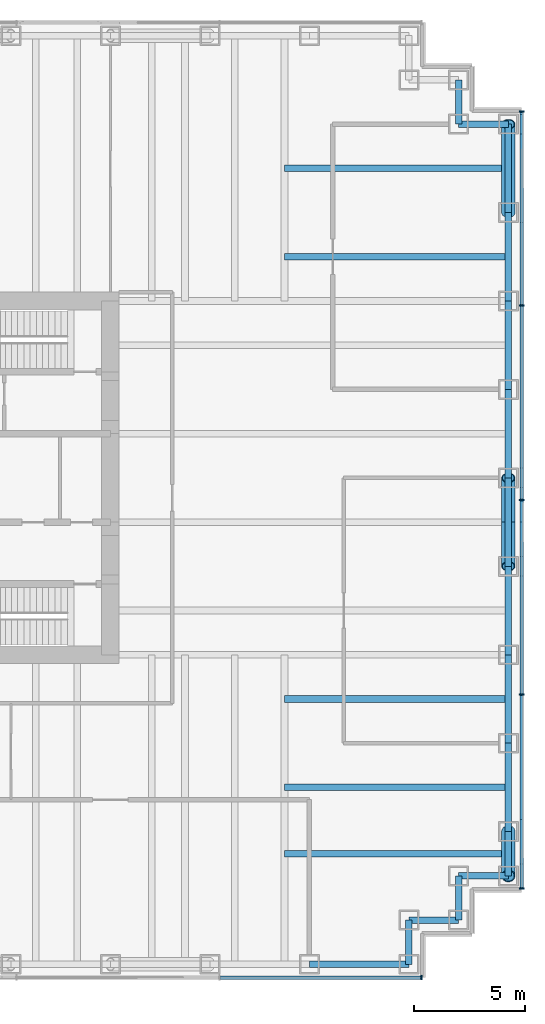
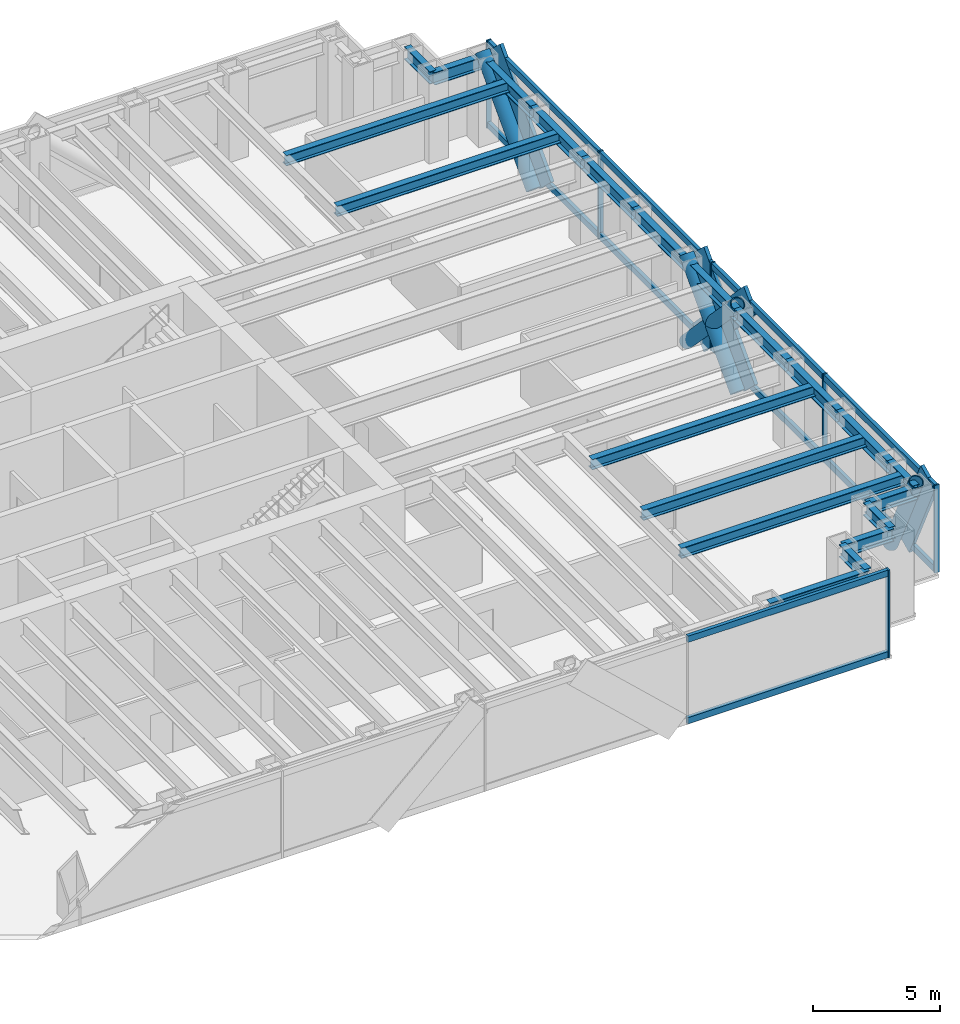
# One storey, part 7 of 14: 24 members, 21 beams, 2 elements without a shape of their own.
"""IFC4 building model written with IfcOpenShell, lengths in metres."""

from ifc_helpers import new_model, si_unit, direction, frame, origin, origin_2d, place, context, subcontext, project, spatial, rectangle, hollow_circle, i_section, extrude, material, material_profile, profile_set, type_object, element, aggregate, save


model = new_model("IFC4")

# Units and contexts
model_context = context("Model", 3, precision=1e-05, world=origin(), true_north=direction((0.0, 1.0)))
body_context = subcontext(model_context, "Body", "Model", "MODEL_VIEW")
ifc_project = project(units=[si_unit("LENGTHUNIT", "METRE"), si_unit("AREAUNIT", "SQUARE_METRE"), si_unit("VOLUMEUNIT", "CUBIC_METRE"), si_unit("PLANEANGLEUNIT", "RADIAN"), si_unit("MASSUNIT", "GRAM", prefix="KILO")], contexts=[model_context])

# Site, building, storey
site_placement = place(None, origin())
site = spatial("IfcSite", under=ifc_project, at=site_placement, CompositionType="ELEMENT")
building_placement = place(site_placement, origin())
building = spatial("IfcBuilding", under=site, at=building_placement, Name="Rheinbord Bourse Tower", CompositionType="ELEMENT")
storey_placement = place(building_placement, frame((0.0, 0.0, 253.0)))
storey = spatial("IfcBuildingStorey", under=building, at=storey_placement, Name="L57", CompositionType="ELEMENT", Elevation=253.0)

# Curtain wall, members
ifc_material_1 = material(Name="Dark glass and black aluminium", Category="aluminium")
curtain_wall_type = type_object("IfcCurtainWallType", Name="CW2 DARK GLASS CURTAIN WALL", PredefinedType="USERDEFINED", material=ifc_material_1)
curtain_wall_1_placement = place(storey_placement, origin())
curtain_wall_1 = element("IfcCurtainWall", 1, at=curtain_wall_1_placement, inside=storey, type_object=curtain_wall_type, Name="Curtain wall CW2 E L57", ObjectType="UNITISED CURTAIN WALL", PredefinedType="USERDEFINED")
ifc_material_2 = material(Name="Black anodised aluminium", Category="aluminium")
ifc_material_profile_1 = material_profile(ifc_material_2, rectangle(XDim=0.159912109375, YDim=1.2099609375, at=origin_2d()), Name="CW2 DIAGONAL MULLION 1210x160")
ifc_profile_set_1 = profile_set([ifc_material_profile_1], Name="Black anodised aluminium")
member_type_1 = type_object("IfcMemberType", Name="CW2 BLACK DIAGONAL MULLION", PredefinedType="USERDEFINED", material=ifc_profile_set_1)
member_1_placement = place(storey_placement, frame((72.60009765625, 20.0, 0.0), z_axis=(0.0, 0.689659376744, 0.724133926887), x_axis=(-1.0, 0.0, 0.0)))
member_1 = element("IfcMember", 2, at=member_1_placement, type_object=member_type_1, Name="CW2 diagonal mullion a", ObjectType="DIAGONAL MULLION", PredefinedType="USERDEFINED", context=body_context, shape_type="SweptSolid", body=[
    extrude(rectangle(XDim=0.159912109375, YDim=1.2099609375, at=origin_2d()), origin(), (0.0, 0.0, 1.0), 5.800048828125),
])
member_2_placement = place(storey_placement, frame((72.60009765625, 24.0, 0.0), z_axis=(0.0, -0.689659376744, 0.724133926887), x_axis=(1.0, 0.0, 0.0)))
member_2 = element("IfcMember", 3, at=member_2_placement, type_object=member_type_1, Name="CW2 diagonal mullion b", ObjectType="DIAGONAL MULLION", PredefinedType="USERDEFINED", context=body_context, shape_type="SweptSolid", body=[
    extrude(rectangle(XDim=0.159912109375, YDim=1.2099609375, at=origin_2d()), origin(), (0.0, 0.0, 1.0), 5.800048828125),
])
member_3_placement = place(storey_placement, frame((72.60009765625, 36.0, 0.0), z_axis=(0.0, 0.689659376744, 0.724133926887), x_axis=(-1.0, 0.0, 0.0)))
member_3 = element("IfcMember", 4, at=member_3_placement, type_object=member_type_1, Name="CW2 diagonal mullion c", ObjectType="DIAGONAL MULLION", PredefinedType="USERDEFINED", context=body_context, shape_type="SweptSolid", body=[
    extrude(rectangle(XDim=0.159912109375, YDim=1.2099609375, at=origin_2d()), origin(), (0.0, 0.0, 1.0), 5.800048828125),
])
member_4_placement = place(storey_placement, frame((72.60009765625, 8.0, 0.0), z_axis=(0.0, -0.429937654825, 0.902858578607), x_axis=(1.0, 0.0, 0.0)))
member_4 = element("IfcMember", 5, at=member_4_placement, type_object=member_type_1, Name="CW2 diagonal mullion d", ObjectType="DIAGONAL MULLION", PredefinedType="USERDEFINED", context=body_context, shape_type="SweptSolid", body=[
    extrude(rectangle(XDim=0.159912109375, YDim=1.2099609375, at=origin_2d()), origin(), (0.0, 0.0, 1.0), 4.65185546875),
])

# Curtain wall, member
curtain_wall_2_placement = place(storey_placement, origin())
curtain_wall_2 = element("IfcCurtainWall", 6, at=curtain_wall_2_placement, inside=storey, type_object=curtain_wall_type, Name="Curtain wall CW2 S L57", ObjectType="UNITISED CURTAIN WALL", PredefinedType="USERDEFINED")
ifc_material_3 = material(Name="Black anodised aluminium", Category="aluminium")
ifc_material_profile_2 = material_profile(ifc_material_3, rectangle(XDim=0.219970703125, YDim=0.070068359375, at=origin_2d()), Name="CW2 MULLION 70x220")
ifc_profile_set_2 = profile_set([ifc_material_profile_2], Name="Black anodised aluminium")
member_type_2 = type_object("IfcMemberType", Name="CW2 BLACK MULLION", PredefinedType="MULLION", material=ifc_profile_set_2)
member_5_placement = place(storey_placement, frame((68.06494140625, 1.39990234375, 0.0), z_axis=(0.0, 0.0, 1.0), x_axis=(0.0, 1.0, 0.0)))
member_5 = element("IfcMember", 7, at=member_5_placement, type_object=member_type_2, Name="CW2 mullion 8", PredefinedType="MULLION", context=body_context, shape_type="SweptSolid", body=[
    extrude(rectangle(XDim=0.219970703125, YDim=0.070068359375, at=origin_2d()), origin(), (0.0, 0.0, 1.0), 4.199951171875),
])

# Member
member_6_placement = place(storey_placement, frame((72.60009765625, 5.43505859375, 0.0), z_axis=(0.0, 0.0, 1.0), x_axis=(-1.0, 0.0, 0.0)))
member_6 = element("IfcMember", 8, at=member_6_placement, type_object=member_type_2, Name="CW2 mullion 1", PredefinedType="MULLION", context=body_context, shape_type="SweptSolid", body=[
    extrude(rectangle(XDim=0.219970703125, YDim=0.070068359375, at=origin_2d()), origin(), (0.0, 0.0, 1.0), 4.199951171875),
])

member_7_placement = place(storey_placement, frame((72.60009765625, 14.199951171875, 0.0), z_axis=(0.0, 0.0, 1.0), x_axis=(-1.0, 0.0, 0.0)))
member_7 = element("IfcMember", 9, at=member_7_placement, type_object=member_type_2, Name="CW2 mullion 2", PredefinedType="MULLION", context=body_context, shape_type="SweptSolid", body=[
    extrude(rectangle(XDim=0.219970703125, YDim=0.070068359375, at=origin_2d()), origin(), (0.0, 0.0, 1.0), 4.199951171875),
])

member_8_placement = place(storey_placement, frame((72.60009765625, 23.0, 0.0), z_axis=(0.0, 0.0, 1.0), x_axis=(-1.0, 0.0, 0.0)))
member_8 = element("IfcMember", 10, at=member_8_placement, type_object=member_type_2, Name="CW2 mullion 3", PredefinedType="MULLION", context=body_context, shape_type="SweptSolid", body=[
    extrude(rectangle(XDim=0.219970703125, YDim=0.070068359375, at=origin_2d()), origin(), (0.0, 0.0, 1.0), 4.199951171875),
])

member_9_placement = place(storey_placement, frame((72.60009765625, 31.800048828125, 0.0), z_axis=(0.0, 0.0, 1.0), x_axis=(-1.0, 0.0, 0.0)))
member_9 = element("IfcMember", 11, at=member_9_placement, type_object=member_type_2, Name="CW2 mullion 4", PredefinedType="MULLION", context=body_context, shape_type="SweptSolid", body=[
    extrude(rectangle(XDim=0.219970703125, YDim=0.070068359375, at=origin_2d()), origin(), (0.0, 0.0, 1.0), 4.199951171875),
])

member_10_placement = place(storey_placement, frame((72.60009765625, 40.56494140625, 0.0), z_axis=(0.0, 0.0, 1.0), x_axis=(-1.0, 0.0, 0.0)))
member_10 = element("IfcMember", 12, at=member_10_placement, type_object=member_type_2, Name="CW2 mullion 5", PredefinedType="MULLION", context=body_context, shape_type="SweptSolid", body=[
    extrude(rectangle(XDim=0.219970703125, YDim=0.070068359375, at=origin_2d()), origin(), (0.0, 0.0, 1.0), 4.199951171875),
])

ifc_material_4 = material(Name="Black anodised aluminium", Category="aluminium")
ifc_material_profile_3 = material_profile(ifc_material_4, rectangle(XDim=0.159912109375, YDim=0.300048828125, at=origin_2d()), Name="CW2 TRANSOM 300x160")
ifc_profile_set_3 = profile_set([ifc_material_profile_3], Name="Black anodised aluminium")
member_type_3 = type_object("IfcMemberType", Name="CW2 BLACK TRANSOM", PredefinedType="USERDEFINED", material=ifc_profile_set_3)
member_11_placement = place(storey_placement, frame((58.963623046875, 1.39990234375, 0.14990234375), z_axis=(1.0, 0.0, 0.0), x_axis=(0.0, 1.0, 0.0)))
member_11 = element("IfcMember", 13, at=member_11_placement, type_object=member_type_3, Name="CW2 transom 7.1", ObjectType="TRANSOM", PredefinedType="USERDEFINED", context=body_context, shape_type="SweptSolid", body=[
    extrude(rectangle(XDim=0.159912109375, YDim=0.300048828125, at=origin_2d()), origin(), (0.0, 0.0, 1.0), 9.06640625),
])

member_12_placement = place(storey_placement, frame((58.963623046875, 1.39990234375, 4.050048828125), z_axis=(1.0, 0.0, 0.0), x_axis=(0.0, 1.0, 0.0)))
member_12 = element("IfcMember", 14, at=member_12_placement, type_object=member_type_3, Name="CW2 transom 7.2", ObjectType="TRANSOM", PredefinedType="USERDEFINED", context=body_context, shape_type="SweptSolid", body=[
    extrude(rectangle(XDim=0.159912109375, YDim=0.300048828125, at=origin_2d()), origin(), (0.0, 0.0, 1.0), 9.06640625),
])

aggregate(curtain_wall_2, [member_5, member_11, member_12])

member_13_placement = place(storey_placement, frame((72.60009765625, 5.469970703125, 0.14990234375), z_axis=(0.0, 1.0, 0.0), x_axis=(-1.0, 0.0, 0.0)))
member_13 = element("IfcMember", 15, at=member_13_placement, type_object=member_type_3, Name="CW2 transom 1.1", ObjectType="TRANSOM", PredefinedType="USERDEFINED", context=body_context, shape_type="SweptSolid", body=[
    extrude(rectangle(XDim=0.159912109375, YDim=0.300048828125, at=origin_2d()), origin(), (0.0, 0.0, 1.0), 8.695068359375),
])

member_14_placement = place(storey_placement, frame((72.60009765625, 5.469970703125, 4.050048828125), z_axis=(0.0, 1.0, 0.0), x_axis=(-1.0, 0.0, 0.0)))
member_14 = element("IfcMember", 16, at=member_14_placement, type_object=member_type_3, Name="CW2 transom 1.2", ObjectType="TRANSOM", PredefinedType="USERDEFINED", context=body_context, shape_type="SweptSolid", body=[
    extrude(rectangle(XDim=0.159912109375, YDim=0.300048828125, at=origin_2d()), origin(), (0.0, 0.0, 1.0), 8.695068359375),
])

member_15_placement = place(storey_placement, frame((72.60009765625, 14.235107421875, 0.14990234375), z_axis=(0.0, 1.0, 0.0), x_axis=(-1.0, 0.0, 0.0)))
member_15 = element("IfcMember", 17, at=member_15_placement, type_object=member_type_3, Name="CW2 transom 2.1", ObjectType="TRANSOM", PredefinedType="USERDEFINED", context=body_context, shape_type="SweptSolid", body=[
    extrude(rectangle(XDim=0.159912109375, YDim=0.300048828125, at=origin_2d()), origin(), (0.0, 0.0, 1.0), 8.72998046875),
])

member_16_placement = place(storey_placement, frame((72.60009765625, 14.235107421875, 4.050048828125), z_axis=(0.0, 1.0, 0.0), x_axis=(-1.0, 0.0, 0.0)))
member_16 = element("IfcMember", 18, at=member_16_placement, type_object=member_type_3, Name="CW2 transom 2.2", ObjectType="TRANSOM", PredefinedType="USERDEFINED", context=body_context, shape_type="SweptSolid", body=[
    extrude(rectangle(XDim=0.159912109375, YDim=0.300048828125, at=origin_2d()), origin(), (0.0, 0.0, 1.0), 8.72998046875),
])

member_17_placement = place(storey_placement, frame((72.60009765625, 23.034912109375, 0.14990234375), z_axis=(0.0, 1.0, 0.0), x_axis=(-1.0, 0.0, 0.0)))
member_17 = element("IfcMember", 19, at=member_17_placement, type_object=member_type_3, Name="CW2 transom 3.1", ObjectType="TRANSOM", PredefinedType="USERDEFINED", context=body_context, shape_type="SweptSolid", body=[
    extrude(rectangle(XDim=0.159912109375, YDim=0.300048828125, at=origin_2d()), origin(), (0.0, 0.0, 1.0), 8.72998046875),
])

member_18_placement = place(storey_placement, frame((72.60009765625, 23.034912109375, 4.050048828125), z_axis=(0.0, 1.0, 0.0), x_axis=(-1.0, 0.0, 0.0)))
member_18 = element("IfcMember", 20, at=member_18_placement, type_object=member_type_3, Name="CW2 transom 3.2", ObjectType="TRANSOM", PredefinedType="USERDEFINED", context=body_context, shape_type="SweptSolid", body=[
    extrude(rectangle(XDim=0.159912109375, YDim=0.300048828125, at=origin_2d()), origin(), (0.0, 0.0, 1.0), 8.72998046875),
])

member_19_placement = place(storey_placement, frame((72.60009765625, 31.8349609375, 0.14990234375), z_axis=(0.0, 1.0, 0.0), x_axis=(-1.0, 0.0, 0.0)))
member_19 = element("IfcMember", 21, at=member_19_placement, type_object=member_type_3, Name="CW2 transom 4.1", ObjectType="TRANSOM", PredefinedType="USERDEFINED", context=body_context, shape_type="SweptSolid", body=[
    extrude(rectangle(XDim=0.159912109375, YDim=0.300048828125, at=origin_2d()), origin(), (0.0, 0.0, 1.0), 8.695068359375),
])

member_20_placement = place(storey_placement, frame((72.60009765625, 31.8349609375, 4.050048828125), z_axis=(0.0, 1.0, 0.0), x_axis=(-1.0, 0.0, 0.0)))
member_20 = element("IfcMember", 22, at=member_20_placement, type_object=member_type_3, Name="CW2 transom 4.2", ObjectType="TRANSOM", PredefinedType="USERDEFINED", context=body_context, shape_type="SweptSolid", body=[
    extrude(rectangle(XDim=0.159912109375, YDim=0.300048828125, at=origin_2d()), origin(), (0.0, 0.0, 1.0), 8.695068359375),
])

aggregate(curtain_wall_1, [member_6, member_7, member_8, member_9, member_10, member_13, member_14, member_15, member_16, member_17, member_18, member_19, member_20, member_1, member_2, member_3, member_4])

# Members
ifc_material_5 = material(Name="Steel S460", Category="steel")
ifc_material_profile_4 = material_profile(ifc_material_5, hollow_circle(Radius=0.304931640625, WallThickness=0.0400390625, at=origin_2d()), Name="CHS 610x40")
ifc_profile_set_4 = profile_set([ifc_material_profile_4], Name="Steel S460")
member_type_4 = type_object("IfcMemberType", Name="MEGABRACE CHS 610x40", PredefinedType="BRACE", material=ifc_profile_set_4)
for number, where, z_axis, x_axis, name in (
    (23, (72.0, 20.0, 0.0), (0.0, 0.689659376744, 0.724133926887), (-1.0, 0.0, 0.0), "Megabrace E face line a L57"),
    (24, (72.0, 24.0, 0.0), (0.0, -0.689659376744, 0.724133926887), (1.0, 0.0, 0.0), "Megabrace E face line b L57"),
    (25, (72.0, 36.0, 0.0), (0.0, 0.689659376744, 0.724133926887), (-1.0, 0.0, 0.0), "Megabrace E face line c L57"),
):
    element("IfcMember", number, at=place(storey_placement, frame(where, z_axis=z_axis, x_axis=x_axis)), inside=storey, type_object=member_type_4, Name=name, PredefinedType="BRACE", context=body_context, shape_type="SweptSolid", body=[
        extrude(hollow_circle(Radius=0.304931640625, WallThickness=0.0400390625, at=origin_2d()), origin(), (0.0, 0.0, 1.0), 5.800048828125),
    ])
member_21_placement = place(storey_placement, frame((72.0, 8.0, 0.0), z_axis=(0.0, -0.429937654825, 0.902858578607), x_axis=(1.0, 0.0, 0.0)))
element("IfcMember", 26, at=member_21_placement, inside=storey, type_object=member_type_4, Name="Megabrace E face line d L57", PredefinedType="BRACE", context=body_context, shape_type="SweptSolid", body=[
    extrude(hollow_circle(Radius=0.304931640625, WallThickness=0.0400390625, at=origin_2d()), origin(), (0.0, 0.0, 1.0), 4.65185546875),
])

# Beams
ifc_material_6 = material(Name="Steel S460", Category="steel")
ifc_material_profile_5 = material_profile(ifc_material_6, i_section(OverallWidth=0.300048828125, OverallDepth=0.60009765625, WebThickness=0.015380859375, FlangeThickness=0.030029296875, at=origin_2d()), Name="HEB 600")
ifc_profile_set_5 = profile_set([ifc_material_profile_5], Name="Steel S460")
beam_type_1 = type_object("IfcBeamType", Name="SPANDREL HEB 600", PredefinedType="SPANDREL", material=ifc_profile_set_5)
beam_1_placement = place(storey_placement, frame((63.0, 2.0, 3.739990234375), z_axis=(1.0, 0.0, 0.0), x_axis=(0.0, 1.0, 0.0)))
element("IfcBeam", 27, at=beam_1_placement, inside=storey, type_object=beam_type_1, Name="Spandrel S-63-SE-E under L58", PredefinedType="SPANDREL", context=body_context, shape_type="SweptSolid", body=[
    extrude(i_section(OverallWidth=0.300048828125, OverallDepth=0.60009765625, WebThickness=0.015380859375, FlangeThickness=0.030029296875, at=origin_2d()), origin(), (0.0, 0.0, 1.0), 4.5),
])
beam_2_placement = place(storey_placement, frame((67.5, 2.0, 3.739990234375), z_axis=(0.0, 1.0, 0.0), x_axis=(-1.0, 0.0, 0.0)))
element("IfcBeam", 28, at=beam_2_placement, inside=storey, type_object=beam_type_1, Name="Spandrel SE-E-SE-D under L58", PredefinedType="SPANDREL", context=body_context, shape_type="SweptSolid", body=[
    extrude(i_section(OverallWidth=0.300048828125, OverallDepth=0.60009765625, WebThickness=0.015380859375, FlangeThickness=0.030029296875, at=origin_2d()), origin(), (0.0, 0.0, 1.0), 2.0),
])
beam_3_placement = place(storey_placement, frame((67.5, 4.0, 3.739990234375), z_axis=(1.0, 0.0, 0.0), x_axis=(0.0, 1.0, 0.0)))
element("IfcBeam", 29, at=beam_3_placement, inside=storey, type_object=beam_type_1, Name="Spandrel SE-D-SE-C under L58", PredefinedType="SPANDREL", context=body_context, shape_type="SweptSolid", body=[
    extrude(i_section(OverallWidth=0.300048828125, OverallDepth=0.60009765625, WebThickness=0.015380859375, FlangeThickness=0.030029296875, at=origin_2d()), origin(), (0.0, 0.0, 1.0), 2.25),
])
beam_4_placement = place(storey_placement, frame((69.75, 4.0, 3.739990234375), z_axis=(0.0, 1.0, 0.0), x_axis=(-1.0, 0.0, 0.0)))
element("IfcBeam", 30, at=beam_4_placement, inside=storey, type_object=beam_type_1, Name="Spandrel SE-C-SE-B under L58", PredefinedType="SPANDREL", context=body_context, shape_type="SweptSolid", body=[
    extrude(i_section(OverallWidth=0.300048828125, OverallDepth=0.60009765625, WebThickness=0.015380859375, FlangeThickness=0.030029296875, at=origin_2d()), origin(), (0.0, 0.0, 1.0), 2.0),
])
beam_5_placement = place(storey_placement, frame((69.75, 6.0, 3.739990234375), z_axis=(1.0, 0.0, 0.0), x_axis=(0.0, 1.0, 0.0)))
element("IfcBeam", 31, at=beam_5_placement, inside=storey, type_object=beam_type_1, Name="Spandrel SE-B-SE-A under L58", PredefinedType="SPANDREL", context=body_context, shape_type="SweptSolid", body=[
    extrude(i_section(OverallWidth=0.300048828125, OverallDepth=0.60009765625, WebThickness=0.015380859375, FlangeThickness=0.030029296875, at=origin_2d()), origin(), (0.0, 0.0, 1.0), 2.25),
])
beam_6_placement = place(storey_placement, frame((72.0, 6.0, 3.739990234375), z_axis=(0.0, 1.0, 0.0), x_axis=(-1.0, 0.0, 0.0)))
element("IfcBeam", 32, at=beam_6_placement, inside=storey, type_object=beam_type_1, Name="Spandrel SE-A-E-8 under L58", PredefinedType="SPANDREL", context=body_context, shape_type="SweptSolid", body=[
    extrude(i_section(OverallWidth=0.300048828125, OverallDepth=0.60009765625, WebThickness=0.015380859375, FlangeThickness=0.030029296875, at=origin_2d()), origin(), (0.0, 0.0, 1.0), 2.0),
])
for number, where, z_axis, x_axis, name in (
    (33, (72.0, 8.0, 3.739990234375), (0.0, 1.0, 0.0), (-1.0, 0.0, 0.0), "Spandrel E-8-E-12 under L58"),
    (34, (72.0, 12.0, 3.739990234375), (0.0, 1.0, 0.0), (-1.0, 0.0, 0.0), "Spandrel E-12-E-16 under L58"),
    (35, (72.0, 16.0, 3.739990234375), (0.0, 1.0, 0.0), (-1.0, 0.0, 0.0), "Spandrel E-16-E-20 under L58"),
    (36, (72.0, 20.0, 3.739990234375), (0.0, 1.0, 0.0), (-1.0, 0.0, 0.0), "Spandrel E-20-E-24 under L58"),
    (37, (72.0, 24.0, 3.739990234375), (0.0, 1.0, 0.0), (-1.0, 0.0, 0.0), "Spandrel E-24-E-28 under L58"),
    (38, (72.0, 28.0, 3.739990234375), (0.0, 1.0, 0.0), (-1.0, 0.0, 0.0), "Spandrel E-28-E-32 under L58"),
    (39, (72.0, 32.0, 3.739990234375), (0.0, 1.0, 0.0), (-1.0, 0.0, 0.0), "Spandrel E-32-E-36 under L58"),
    (40, (72.0, 36.0, 3.739990234375), (0.0, 1.0, 0.0), (-1.0, 0.0, 0.0), "Spandrel E-36-NE-A under L58"),
):
    element("IfcBeam", number, at=place(storey_placement, frame(where, z_axis=z_axis, x_axis=x_axis)), inside=storey, type_object=beam_type_1, Name=name, PredefinedType="SPANDREL", context=body_context, shape_type="SweptSolid", body=[
        extrude(i_section(OverallWidth=0.300048828125, OverallDepth=0.60009765625, WebThickness=0.015380859375, FlangeThickness=0.030029296875, at=origin_2d()), origin(), (0.0, 0.0, 1.0), 4.0),
    ])
beam_7_placement = place(storey_placement, frame((72.0, 40.0, 3.739990234375), z_axis=(-1.0, 0.0, 0.0), x_axis=(0.0, -1.0, 0.0)))
element("IfcBeam", 41, at=beam_7_placement, inside=storey, type_object=beam_type_1, Name="Spandrel NE-A-NE-B under L58", PredefinedType="SPANDREL", context=body_context, shape_type="SweptSolid", body=[
    extrude(i_section(OverallWidth=0.300048828125, OverallDepth=0.60009765625, WebThickness=0.015380859375, FlangeThickness=0.030029296875, at=origin_2d()), origin(), (0.0, 0.0, 1.0), 2.25),
])
beam_8_placement = place(storey_placement, frame((69.75, 40.0, 3.739990234375), z_axis=(0.0, 1.0, 0.0), x_axis=(-1.0, 0.0, 0.0)))
element("IfcBeam", 42, at=beam_8_placement, inside=storey, type_object=beam_type_1, Name="Spandrel NE-B-NE-C under L58", PredefinedType="SPANDREL", context=body_context, shape_type="SweptSolid", body=[
    extrude(i_section(OverallWidth=0.300048828125, OverallDepth=0.60009765625, WebThickness=0.015380859375, FlangeThickness=0.030029296875, at=origin_2d()), origin(), (0.0, 0.0, 1.0), 2.0),
])
ifc_material_7 = material(Name="Steel S460", Category="steel")
ifc_material_profile_6 = material_profile(ifc_material_7, i_section(OverallWidth=0.300048828125, OverallDepth=0.5, WebThickness=0.014404296875, FlangeThickness=0.028076171875, at=origin_2d()), Name="HEB 500")
ifc_profile_set_6 = profile_set([ifc_material_profile_6], Name="Steel S460")
beam_type_2 = type_object("IfcBeamType", Name="TIE BEAM HEB 500", PredefinedType="JOIST", material=ifc_profile_set_6)
for number, where, z_axis, x_axis, name in (
    (43, (61.875, 7.0, 3.7900390625), (1.0, 0.0, 0.0), (0.0, 1.0, 0.0), "Tie east 7 L58"),
    (44, (61.875, 10.0, 3.7900390625), (1.0, 0.0, 0.0), (0.0, 1.0, 0.0), "Tie east 10 L58"),
    (45, (61.875, 14.0, 3.7900390625), (1.0, 0.0, 0.0), (0.0, 1.0, 0.0), "Tie east 14 L58"),
    (46, (61.875, 34.0, 3.7900390625), (1.0, 0.0, 0.0), (0.0, 1.0, 0.0), "Tie east 34 L58"),
    (47, (61.875, 38.0, 3.7900390625), (1.0, 0.0, 0.0), (0.0, 1.0, 0.0), "Tie east 38 L58"),
):
    element("IfcBeam", number, at=place(storey_placement, frame(where, z_axis=z_axis, x_axis=x_axis)), inside=storey, type_object=beam_type_2, Name=name, PredefinedType="JOIST", context=body_context, shape_type="SweptSolid", body=[
        extrude(i_section(OverallWidth=0.300048828125, OverallDepth=0.5, WebThickness=0.014404296875, FlangeThickness=0.028076171875, at=origin_2d()), origin(), (0.0, 0.0, 1.0), 10.125),
    ])

save(model, "model.ifc")
